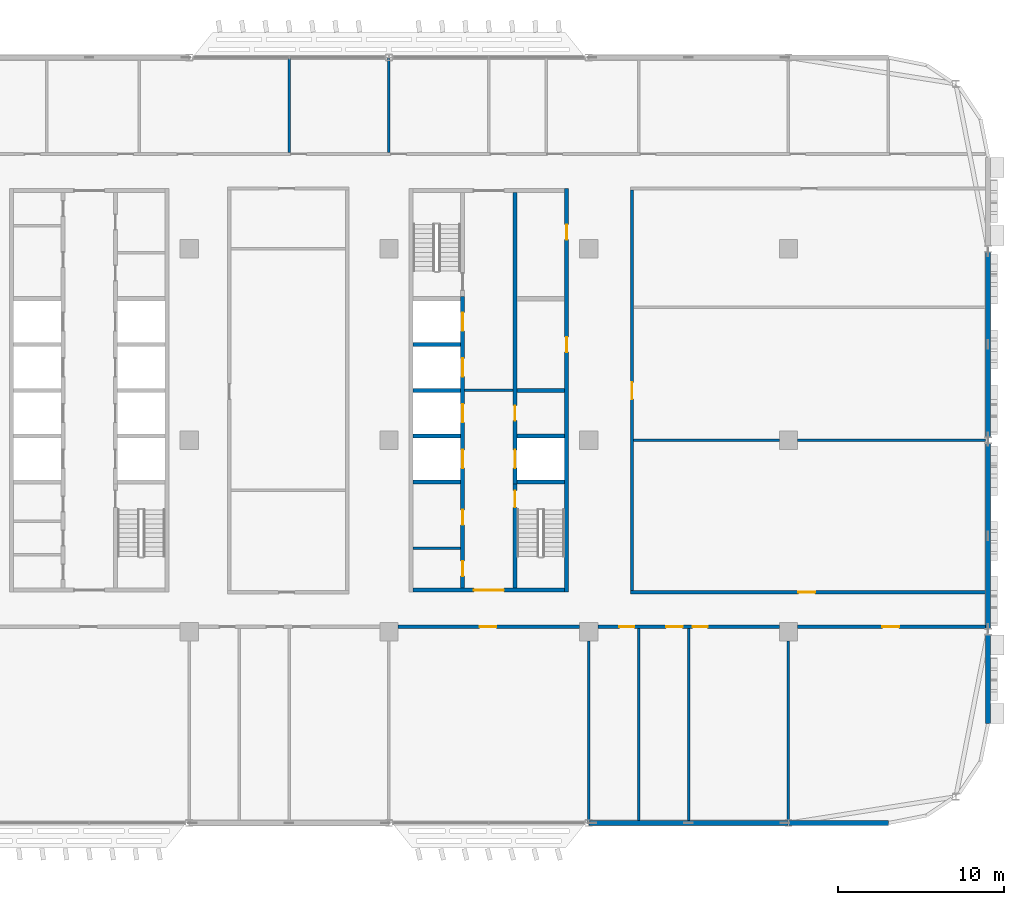
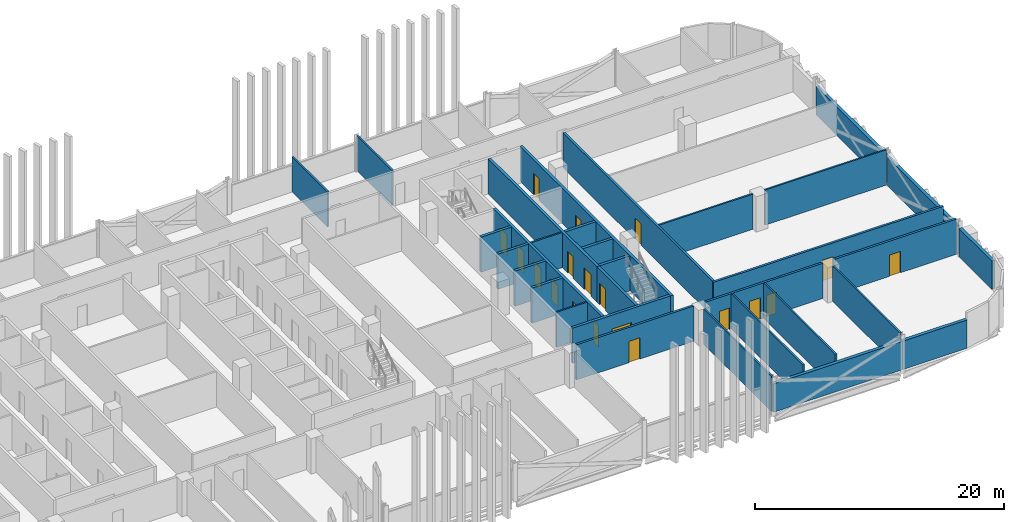
# One storey, part 17 of 30: 32 walls, 19 doors, 19 openings.
"""IFC4 building model written with IfcOpenShell, lengths in metres."""

from ifc_helpers import new_model, si_unit, direction, frame, frame_2d, origin, place, context, subcontext, project, spatial, rectangle, extrude, material, layer, layer_set, type_object, element, fill, save


model = new_model("IFC4")

# Units and contexts
model_context = context("Model", 3, precision=1e-05, world=origin(), true_north=direction((0.0, 1.0)))
body_context = subcontext(model_context, "Body", "Model", "MODEL_VIEW")
ifc_project = project(units=[si_unit("LENGTHUNIT", "METRE"), si_unit("AREAUNIT", "SQUARE_METRE"), si_unit("VOLUMEUNIT", "CUBIC_METRE"), si_unit("PLANEANGLEUNIT", "RADIAN"), si_unit("MASSUNIT", "GRAM", prefix="KILO")], contexts=[model_context])

# Site, building, storey
site_placement = place(None, origin())
site = spatial("IfcSite", under=ifc_project, at=site_placement, CompositionType="ELEMENT")
building_placement = place(site_placement, origin())
building = spatial("IfcBuilding", under=site, at=building_placement, Name="Mahtab Terrace Research Tower", CompositionType="ELEMENT")
storey_placement = place(building_placement, frame((0.0, 0.0, 209.10009765625)))
storey = spatial("IfcBuildingStorey", under=building, at=storey_placement, Name="L50", CompositionType="ELEMENT", Elevation=209.10009765625)

# Walls
ifc_material_1 = material(Name="Gypsum board partition")
ifc_layer_1 = layer(ifc_material_1, 0.14990234375)
ifc_layer_set_1 = layer_set([ifc_layer_1], Name="Core partition 150")
wall_type_1 = type_object("IfcWallType", Name="Core partition 150", PredefinedType="PARTITIONING", material=ifc_layer_set_1)
wall_1_placement = place(storey_placement, frame((22.550048828125, 3.0, 0.0), z_axis=(0.0, 0.0, 1.0), x_axis=(1.0, 0.0, 0.0)))
element("IfcWall", 1, at=wall_1_placement, inside=storey, type_object=wall_type_1, Name="Core wall C ffl", PredefinedType="PARTITIONING", context=body_context, shape_type="SweptSolid", body=[
    extrude(rectangle(XDim=2.89990234375, YDim=0.14990234375, at=frame_2d((1.449951171875, 0.0))), origin(), (0.0, 0.0, 1.0), 3.4599609375),
])
wall_2_placement = place(storey_placement, frame((19.449951171875, -6.47509765625, 0.0), z_axis=(0.0, 0.0, 1.0), x_axis=(1.0, 0.0, 0.0)))
element("IfcWall", 2, at=wall_2_placement, inside=storey, type_object=wall_type_1, Name="Core wall C pWS-948", PredefinedType="PARTITIONING", context=body_context, shape_type="SweptSolid", body=[
    extrude(rectangle(XDim=2.85009765625, YDim=0.14990234375, at=frame_2d((1.425048828125, 0.0))), origin(), (0.0, 0.0, 1.0), 3.4599609375),
])

# Wall, openings, doors
ifc_material_2 = material(Name="Concrete C70/85", Category="concrete")
ifc_layer_2 = layer(ifc_material_2, 0.25)
ifc_layer_set_2 = layer_set([ifc_layer_2], Name="Core wall 250")
wall_type_2 = type_object("IfcWallType", Name="Core wall 250", PredefinedType="SOLIDWALL", material=ifc_layer_set_2)
wall_3_placement = place(storey_placement, frame((28.675048828125, -9.125, 0.0), z_axis=(0.0, 0.0, 1.0), x_axis=(0.0, 1.0, 0.0)))
wall_3 = element("IfcWall", 3, at=wall_3_placement, inside=storey, type_object=wall_type_2, Name="Core wall C outerE", PredefinedType="SOLIDWALL", context=body_context, shape_type="SweptSolid", body=[
    extrude(rectangle(XDim=24.25, YDim=0.25, at=frame_2d((12.125, 0.0))), origin(), (0.0, 0.0, 1.0), 3.4599609375),
])
opening_1_placement = place(wall_3_placement, frame((14.425048828125, 0.0, 0.0)))
opening_1 = element("IfcOpeningElement", 4, at=opening_1_placement, cuts=wall_3, Name="Opening C-R2", PredefinedType="OPENING", context=body_context, shape_type="SweptSolid", body=[
    extrude(rectangle(XDim=0.89990234375, YDim=2.10009765625, at=frame_2d((0.449951171875, 1.050048828125))), frame((0.0, 0.135009765625, 0.0), z_axis=(0.0, -1.0, 0.0), x_axis=(1.0, 0.0, 0.0)), (0.0, 0.0, 1.0), 0.27001953125),
])
opening_2_placement = place(wall_3_placement, frame((21.175048828125, 0.0, 0.0)))
opening_2 = element("IfcOpeningElement", 5, at=opening_2_placement, cuts=wall_3, Name="Opening C-R5", PredefinedType="OPENING", context=body_context, shape_type="SweptSolid", body=[
    extrude(rectangle(XDim=0.89990234375, YDim=2.10009765625, at=frame_2d((0.449951171875, 1.050048828125))), frame((0.0, 0.135009765625, 0.0), z_axis=(0.0, -1.0, 0.0), x_axis=(1.0, 0.0, 0.0)), (0.0, 0.0, 1.0), 0.27001953125),
])
ifc_material_3 = material(Name="Steel fire door", Category="steel")
door_type_1 = type_object("IfcDoorType", Name="Room door 900x2100 1 HR", OperationType="NOTDEFINED", PredefinedType="DOOR", material=ifc_material_3)
door_1_placement = place(opening_1_placement, origin())
door_1 = element("IfcDoor", 6, at=door_1_placement, inside=storey, type_object=door_type_1, Name="Plant room door", OperationType="SINGLE_SWING_RIGHT", OverallHeight=2.10009765625, OverallWidth=0.89990234375, PredefinedType="DOOR", context=body_context, shape_type="SweptSolid", body=[
    extrude(rectangle(XDim=0.89990234375, YDim=2.10009765625, at=frame_2d((0.449951171875, 1.050048828125))), frame((0.0, 0.02490234375, 0.0), z_axis=(0.0, -1.0, 0.0), x_axis=(1.0, 0.0, 0.0)), (0.0, 0.0, 1.0), 0.050048828125),
])
fill(opening_1, door_1)
door_2_placement = place(opening_2_placement, origin())
door_2 = element("IfcDoor", 7, at=door_2_placement, inside=storey, type_object=door_type_1, Name="Gas cylinder store door", OperationType="SINGLE_SWING_LEFT", OverallHeight=2.10009765625, OverallWidth=0.89990234375, PredefinedType="DOOR", context=body_context, shape_type="SweptSolid", body=[
    extrude(rectangle(XDim=0.89990234375, YDim=2.10009765625, at=frame_2d((0.449951171875, 1.050048828125))), frame((0.0, 0.02490234375, 0.0), z_axis=(0.0, -1.0, 0.0), x_axis=(1.0, 0.0, 0.0)), (0.0, 0.0, 1.0), 0.050048828125),
])
fill(opening_2, door_2)

# Wall, opening, door
wall_4_placement = place(storey_placement, frame((28.550048828125, -9.0, 0.0), z_axis=(0.0, 0.0, 1.0), x_axis=(-1.0, 0.0, 0.0)))
wall_4 = element("IfcWall", 8, at=wall_4_placement, inside=storey, type_object=wall_type_2, Name="Core wall C endS", PredefinedType="SOLIDWALL", context=body_context, shape_type="SweptSolid", body=[
    extrude(rectangle(XDim=9.10009765625, YDim=0.25, at=frame_2d((4.550048828125, 0.0))), origin(), (0.0, 0.0, 1.0), 3.4599609375),
])
opening_3_placement = place(wall_4_placement, frame((3.64990234375, 0.0, 0.0)))
opening_3 = element("IfcOpeningElement", 9, at=opening_3_placement, cuts=wall_4, Name="Opening C-S1", PredefinedType="OPENING", context=body_context, shape_type="SweptSolid", body=[
    extrude(rectangle(XDim=1.800048828125, YDim=2.10009765625, at=frame_2d((0.89990234375, 1.050048828125))), frame((0.0, 0.135009765625, 0.0), z_axis=(0.0, -1.0, 0.0), x_axis=(1.0, 0.0, 0.0)), (0.0, 0.0, 1.0), 0.27001953125),
])
door_type_2 = type_object("IfcDoorType", Name="Lobby double door 1800x2100 1 HR", OperationType="DOUBLE_DOOR_SINGLE_SWING", PredefinedType="DOOR", material=ifc_material_3)
door_3_placement = place(opening_3_placement, origin())
door_3 = element("IfcDoor", 10, at=door_3_placement, inside=storey, type_object=door_type_2, Name="Core entrance door C S", OperationType="DOUBLE_DOOR_SINGLE_SWING", OverallHeight=2.10009765625, OverallWidth=1.800048828125, PredefinedType="DOOR", context=body_context, shape_type="SweptSolid", body=[
    extrude(rectangle(XDim=1.800048828125, YDim=2.10009765625, at=frame_2d((0.89990234375, 1.050048828125))), frame((0.0, 0.02490234375, 0.0), z_axis=(0.0, -1.0, 0.0), x_axis=(1.0, 0.0, 0.0)), (0.0, 0.0, 1.0), 0.050048828125),
])
fill(opening_3, door_3)

# Wall, openings, doors
wall_5_placement = place(storey_placement, frame((22.425048828125, -8.875, 0.0), z_axis=(0.0, 0.0, 1.0), x_axis=(0.0, 1.0, 0.0)))
wall_5 = element("IfcWall", 11, at=wall_5_placement, inside=storey, type_object=wall_type_2, Name="Core wall C innerWSL", PredefinedType="SOLIDWALL", context=body_context, shape_type="SweptSolid", body=[
    extrude(rectangle(XDim=17.5, YDim=0.25, at=frame_2d((8.75, 0.0))), origin(), (0.0, 0.0, 1.0), 3.4599609375),
])
opening_4_placement = place(wall_5_placement, frame((7.199951171875, 0.0, 0.0)))
opening_4 = element("IfcOpeningElement", 12, at=opening_4_placement, cuts=wall_5, Name="Opening LD17-L50", PredefinedType="OPENING", context=body_context, shape_type="SweptSolid", body=[
    extrude(rectangle(XDim=1.10009765625, YDim=2.10009765625, at=frame_2d((0.550048828125, 1.050048828125))), frame((0.0, 0.135009765625, 0.0), z_axis=(0.0, -1.0, 0.0), x_axis=(1.0, 0.0, 0.0)), (0.0, 0.0, 1.0), 0.27001953125),
])
opening_5_placement = place(wall_5_placement, frame((9.949951171875, 0.0, 0.0)))
opening_5 = element("IfcOpeningElement", 13, at=opening_5_placement, cuts=wall_5, Name="Opening LD18-L50", PredefinedType="OPENING", context=body_context, shape_type="SweptSolid", body=[
    extrude(rectangle(XDim=1.10009765625, YDim=2.10009765625, at=frame_2d((0.550048828125, 1.050048828125))), frame((0.0, 0.135009765625, 0.0), z_axis=(0.0, -1.0, 0.0), x_axis=(1.0, 0.0, 0.0)), (0.0, 0.0, 1.0), 0.27001953125),
])
opening_6_placement = place(wall_5_placement, frame((12.699951171875, 0.0, 0.0)))
opening_6 = element("IfcOpeningElement", 14, at=opening_6_placement, cuts=wall_5, Name="Opening LD19-L50", PredefinedType="OPENING", context=body_context, shape_type="SweptSolid", body=[
    extrude(rectangle(XDim=1.10009765625, YDim=2.10009765625, at=frame_2d((0.550048828125, 1.050048828125))), frame((0.0, 0.135009765625, 0.0), z_axis=(0.0, -1.0, 0.0), x_axis=(1.0, 0.0, 0.0)), (0.0, 0.0, 1.0), 0.27001953125),
])
opening_7_placement = place(wall_5_placement, frame((15.449951171875, 0.0, 0.0)))
opening_7 = element("IfcOpeningElement", 15, at=opening_7_placement, cuts=wall_5, Name="Opening LD20-L50", PredefinedType="OPENING", context=body_context, shape_type="SweptSolid", body=[
    extrude(rectangle(XDim=1.10009765625, YDim=2.10009765625, at=frame_2d((0.550048828125, 1.050048828125))), frame((0.0, 0.135009765625, 0.0), z_axis=(0.0, -1.0, 0.0), x_axis=(1.0, 0.0, 0.0)), (0.0, 0.0, 1.0), 0.27001953125),
])
opening_8_placement = place(wall_5_placement, frame((0.71240234375, 0.0, 0.0)))
opening_8 = element("IfcOpeningElement", 16, at=opening_8_placement, cuts=wall_5, Name="Opening C-R3", PredefinedType="OPENING", context=body_context, shape_type="SweptSolid", body=[
    extrude(rectangle(XDim=0.89990234375, YDim=2.10009765625, at=frame_2d((0.449951171875, 1.050048828125))), frame((0.0, 0.135009765625, 0.0), z_axis=(0.0, -1.0, 0.0), x_axis=(1.0, 0.0, 0.0)), (0.0, 0.0, 1.0), 0.27001953125),
])
opening_9_placement = place(wall_5_placement, frame((3.78759765625, 0.0, 0.0)))
opening_9 = element("IfcOpeningElement", 17, at=opening_9_placement, cuts=wall_5, Name="Opening C-R4", PredefinedType="OPENING", context=body_context, shape_type="SweptSolid", body=[
    extrude(rectangle(XDim=0.89990234375, YDim=2.10009765625, at=frame_2d((0.449951171875, 1.050048828125))), frame((0.0, 0.135009765625, 0.0), z_axis=(0.0, -1.0, 0.0), x_axis=(1.0, 0.0, 0.0)), (0.0, 0.0, 1.0), 0.27001953125),
])
ifc_material_4 = material(Name="Stainless steel AISI 304", Category="steel")
door_type_3 = type_object("IfcDoorType", Name="Landing door 1100x2100", OperationType="DOUBLE_DOOR_SLIDING", PredefinedType="DOOR", material=ifc_material_4)
door_4_placement = place(opening_4_placement, origin())
door_4 = element("IfcDoor", 18, at=door_4_placement, inside=storey, type_object=door_type_3, Name="Landing door SV1 L50", OperationType="DOUBLE_DOOR_SLIDING", OverallHeight=2.10009765625, OverallWidth=1.10009765625, PredefinedType="DOOR", context=body_context, shape_type="SweptSolid", body=[
    extrude(rectangle(XDim=1.10009765625, YDim=2.10009765625, at=frame_2d((0.550048828125, 1.050048828125))), frame((0.0, 0.02490234375, 0.0), z_axis=(0.0, -1.0, 0.0), x_axis=(1.0, 0.0, 0.0)), (0.0, 0.0, 1.0), 0.050048828125),
])
fill(opening_4, door_4)
door_5_placement = place(opening_5_placement, origin())
door_5 = element("IfcDoor", 19, at=door_5_placement, inside=storey, type_object=door_type_3, Name="Landing door SV2 L50", OperationType="DOUBLE_DOOR_SLIDING", OverallHeight=2.10009765625, OverallWidth=1.10009765625, PredefinedType="DOOR", context=body_context, shape_type="SweptSolid", body=[
    extrude(rectangle(XDim=1.10009765625, YDim=2.10009765625, at=frame_2d((0.550048828125, 1.050048828125))), frame((0.0, 0.02490234375, 0.0), z_axis=(0.0, -1.0, 0.0), x_axis=(1.0, 0.0, 0.0)), (0.0, 0.0, 1.0), 0.050048828125),
])
fill(opening_5, door_5)
door_6_placement = place(opening_6_placement, origin())
door_6 = element("IfcDoor", 20, at=door_6_placement, inside=storey, type_object=door_type_3, Name="Landing door FF1 L50", OperationType="DOUBLE_DOOR_SLIDING", OverallHeight=2.10009765625, OverallWidth=1.10009765625, PredefinedType="DOOR", context=body_context, shape_type="SweptSolid", body=[
    extrude(rectangle(XDim=1.10009765625, YDim=2.10009765625, at=frame_2d((0.550048828125, 1.050048828125))), frame((0.0, 0.02490234375, 0.0), z_axis=(0.0, -1.0, 0.0), x_axis=(1.0, 0.0, 0.0)), (0.0, 0.0, 1.0), 0.050048828125),
])
fill(opening_6, door_6)
door_7_placement = place(opening_7_placement, origin())
door_7 = element("IfcDoor", 21, at=door_7_placement, inside=storey, type_object=door_type_3, Name="Landing door FF2 L50", OperationType="DOUBLE_DOOR_SLIDING", OverallHeight=2.10009765625, OverallWidth=1.10009765625, PredefinedType="DOOR", context=body_context, shape_type="SweptSolid", body=[
    extrude(rectangle(XDim=1.10009765625, YDim=2.10009765625, at=frame_2d((0.550048828125, 1.050048828125))), frame((0.0, 0.02490234375, 0.0), z_axis=(0.0, -1.0, 0.0), x_axis=(1.0, 0.0, 0.0)), (0.0, 0.0, 1.0), 0.050048828125),
])
fill(opening_7, door_7)
door_8_placement = place(opening_8_placement, origin())
door_8 = element("IfcDoor", 22, at=door_8_placement, inside=storey, type_object=door_type_1, Name="Accessible WC door", OperationType="SINGLE_SWING_LEFT", OverallHeight=2.10009765625, OverallWidth=0.89990234375, PredefinedType="DOOR", context=body_context, shape_type="SweptSolid", body=[
    extrude(rectangle(XDim=0.89990234375, YDim=2.10009765625, at=frame_2d((0.449951171875, 1.050048828125))), frame((0.0, 0.02490234375, 0.0), z_axis=(0.0, -1.0, 0.0), x_axis=(1.0, 0.0, 0.0)), (0.0, 0.0, 1.0), 0.050048828125),
])
fill(opening_8, door_8)
door_9_placement = place(opening_9_placement, origin())
door_9 = element("IfcDoor", 23, at=door_9_placement, inside=storey, type_object=door_type_1, Name="WC block door", OperationType="SINGLE_SWING_RIGHT", OverallHeight=2.10009765625, OverallWidth=0.89990234375, PredefinedType="DOOR", context=body_context, shape_type="SweptSolid", body=[
    extrude(rectangle(XDim=0.89990234375, YDim=2.10009765625, at=frame_2d((0.449951171875, 1.050048828125))), frame((0.0, 0.02490234375, 0.0), z_axis=(0.0, -1.0, 0.0), x_axis=(1.0, 0.0, 0.0)), (0.0, 0.0, 1.0), 0.050048828125),
])
fill(opening_9, door_9)

# Wall, opening, door
wall_6_placement = place(storey_placement, frame((25.574951171875, -8.875, 0.0), z_axis=(0.0, 0.0, 1.0), x_axis=(0.0, 1.0, 0.0)))
wall_6 = element("IfcWall", 24, at=wall_6_placement, inside=storey, type_object=wall_type_2, Name="Core wall C innerES", PredefinedType="SOLIDWALL", context=body_context, shape_type="SweptSolid", body=[
    extrude(rectangle(XDim=6.25, YDim=0.25, at=frame_2d((3.125, 0.0))), origin(), (0.0, 0.0, 1.0), 3.4599609375),
])
opening_10_placement = place(wall_6_placement, frame((4.85009765625, 0.0, 0.0)))
opening_10 = element("IfcOpeningElement", 25, at=opening_10_placement, cuts=wall_6, Name="Opening C-ST4", PredefinedType="OPENING", context=body_context, shape_type="SweptSolid", body=[
    extrude(rectangle(XDim=1.0, YDim=2.10009765625, at=frame_2d((0.5, 1.050048828125))), frame((0.0, 0.135009765625, 0.0), z_axis=(0.0, -1.0, 0.0), x_axis=(1.0, 0.0, 0.0)), (0.0, 0.0, 1.0), 0.27001953125),
])
door_type_4 = type_object("IfcDoorType", Name="Stair door 1000x2100 1.5 HR", OperationType="NOTDEFINED", PredefinedType="DOOR", material=ifc_material_3)
door_10_placement = place(opening_10_placement, origin())
door_10 = element("IfcDoor", 26, at=door_10_placement, inside=storey, type_object=door_type_4, Name="Stair door ST4 L50", OperationType="SINGLE_SWING_LEFT", OverallHeight=2.10009765625, OverallWidth=1.0, PredefinedType="DOOR", context=body_context, shape_type="SweptSolid", body=[
    extrude(rectangle(XDim=1.0, YDim=2.10009765625, at=frame_2d((0.5, 1.050048828125))), frame((0.0, 0.02490234375, 0.0), z_axis=(0.0, -1.0, 0.0), x_axis=(1.0, 0.0, 0.0)), (0.0, 0.0, 1.0), 0.050048828125),
])
fill(opening_10, door_10)

# Wall, openings, doors
wall_7_placement = place(storey_placement, frame((25.574951171875, 14.875, 0.0), z_axis=(0.0, 0.0, 1.0), x_axis=(0.0, -1.0, 0.0)))
wall_7 = element("IfcWall", 27, at=wall_7_placement, inside=storey, type_object=wall_type_2, Name="Core wall C innerELN", PredefinedType="SOLIDWALL", context=body_context, shape_type="SweptSolid", body=[
    extrude(rectangle(XDim=17.5, YDim=0.25, at=frame_2d((8.75, 0.0))), origin(), (0.0, 0.0, 1.0), 3.4599609375),
])
opening_11_placement = place(wall_7_placement, frame((15.449951171875, 0.0, 0.0)))
opening_11 = element("IfcOpeningElement", 28, at=opening_11_placement, cuts=wall_7, Name="Opening LD21-L50", PredefinedType="OPENING", context=body_context, shape_type="SweptSolid", body=[
    extrude(rectangle(XDim=1.10009765625, YDim=2.10009765625, at=frame_2d((0.550048828125, 1.050048828125))), frame((0.0, 0.135009765625, 0.0), z_axis=(0.0, -1.0, 0.0), x_axis=(1.0, 0.0, 0.0)), (0.0, 0.0, 1.0), 0.27001953125),
])
opening_12_placement = place(wall_7_placement, frame((12.800048828125, 0.0, 0.0)))
opening_12 = element("IfcOpeningElement", 29, at=opening_12_placement, cuts=wall_7, Name="Opening C-R1", PredefinedType="OPENING", context=body_context, shape_type="SweptSolid", body=[
    extrude(rectangle(XDim=0.89990234375, YDim=2.10009765625, at=frame_2d((0.449951171875, 1.050048828125))), frame((0.0, 0.135009765625, 0.0), z_axis=(0.0, -1.0, 0.0), x_axis=(1.0, 0.0, 0.0)), (0.0, 0.0, 1.0), 0.27001953125),
])
door_11_placement = place(opening_11_placement, origin())
door_11 = element("IfcDoor", 30, at=door_11_placement, inside=storey, type_object=door_type_3, Name="Landing door SV3 L50", OperationType="DOUBLE_DOOR_SLIDING", OverallHeight=2.10009765625, OverallWidth=1.10009765625, PredefinedType="DOOR", context=body_context, shape_type="SweptSolid", body=[
    extrude(rectangle(XDim=1.10009765625, YDim=2.10009765625, at=frame_2d((0.550048828125, 1.050048828125))), frame((0.0, 0.02490234375, 0.0), z_axis=(0.0, -1.0, 0.0), x_axis=(1.0, 0.0, 0.0)), (0.0, 0.0, 1.0), 0.050048828125),
])
fill(opening_11, door_11)
door_12_placement = place(opening_12_placement, origin())
door_12 = element("IfcDoor", 31, at=door_12_placement, inside=storey, type_object=door_type_1, Name="Plant room door", OperationType="SINGLE_SWING_LEFT", OverallHeight=2.10009765625, OverallWidth=0.89990234375, PredefinedType="DOOR", context=body_context, shape_type="SweptSolid", body=[
    extrude(rectangle(XDim=0.89990234375, YDim=2.10009765625, at=frame_2d((0.449951171875, 1.050048828125))), frame((0.0, 0.02490234375, 0.0), z_axis=(0.0, -1.0, 0.0), x_axis=(1.0, 0.0, 0.0)), (0.0, 0.0, 1.0), 0.050048828125),
])
fill(opening_12, door_12)

# Walls
for number, where, z_axis, x_axis, name in (
    (32, (19.449951171875, -2.5, 0.0), (0.0, 0.0, 1.0), (1.0, 0.0, 0.0), "Core wall C divW0"),
    (33, (19.449951171875, 0.25, 0.0), (0.0, 0.0, 1.0), (1.0, 0.0, 0.0), "Core wall C divW1"),
    (34, (19.449951171875, 3.0, 0.0), (0.0, 0.0, 1.0), (1.0, 0.0, 0.0), "Core wall C divW2"),
    (35, (19.449951171875, 5.75, 0.0), (0.0, 0.0, 1.0), (1.0, 0.0, 0.0), "Core wall C divW3"),
    (36, (25.699951171875, -2.5, 0.0), (0.0, 0.0, 1.0), (1.0, 0.0, 0.0), "Core wall C divE0"),
    (37, (25.699951171875, 0.25, 0.0), (0.0, 0.0, 1.0), (1.0, 0.0, 0.0), "Core wall C divE1"),
    (38, (25.699951171875, 3.0, 0.0), (0.0, 0.0, 1.0), (1.0, 0.0, 0.0), "Core wall C divE2"),
):
    element("IfcWall", number, at=place(storey_placement, frame(where, z_axis=z_axis, x_axis=x_axis)), inside=storey, type_object=wall_type_2, Name=name, PredefinedType="SOLIDWALL", context=body_context, shape_type="SweptSolid", body=[
        extrude(rectangle(XDim=2.85009765625, YDim=0.25, at=frame_2d((1.425048828125, 0.0))), origin(), (0.0, 0.0, 1.0), 3.4599609375),
    ])
ifc_material_5 = material(Name="Black aluminium cladding panel", Category="aluminium")
ifc_layer_3 = layer(ifc_material_5, 0.300048828125)
ifc_layer_set_3 = layer_set([ifc_layer_3], Name="Opaque facade wall 300")
wall_type_3 = type_object("IfcWallType", Name="Opaque facade wall 300", PredefinedType="NOTDEFINED", material=ifc_layer_set_3)
wall_8_placement = place(storey_placement, frame((30.012451171875, -23.0, 0.0), z_axis=(0.0, 0.0, 1.0), x_axis=(1.0, 0.0, 0.0)))
element("IfcWall", 39, at=wall_8_placement, inside=storey, type_object=wall_type_3, Name="Opaque facade wall L50 S29", PredefinedType="NOTDEFINED", context=body_context, shape_type="SweptSolid", body=[
    extrude(rectangle(XDim=11.97509765625, YDim=0.300048828125, at=frame_2d((5.987548828125, 0.0))), origin(), (0.0, 0.0, 1.0), 2.78173828125),
])
wall_9_placement = place(storey_placement, frame((42.012451171875, -23.0, 0.0), z_axis=(0.0, 0.0, 1.0), x_axis=(1.0, 0.0, 0.0)))
element("IfcWall", 40, at=wall_9_placement, inside=storey, type_object=wall_type_3, Name="Opaque facade wall L50 S30", PredefinedType="NOTDEFINED", context=body_context, shape_type="SweptSolid", body=[
    extrude(rectangle(XDim=5.987548828125, YDim=0.300048828125, at=frame_2d((2.99365234375, 0.0))), origin(), (0.0, 0.0, 1.0), 2.78173828125),
])
wall_10_placement = place(storey_placement, frame((54.0, -17.0, 0.0), z_axis=(0.0, 0.0, 1.0), x_axis=(0.0, 1.0, 0.0)))
element("IfcWall", 41, at=wall_10_placement, inside=storey, type_object=wall_type_3, Name="Opaque facade wall L50 E35", PredefinedType="NOTDEFINED", context=body_context, shape_type="SweptSolid", body=[
    extrude(rectangle(XDim=5.300048828125, YDim=0.300048828125, at=frame_2d((2.64990234375, 0.0))), origin(), (0.0, 0.0, 1.0), 2.78173828125),
])
for number, where, z_axis, x_axis, name in (
    (42, (54.0, -11.300048828125, 0.0), (0.0, 0.0, 1.0), (0.0, 1.0, 0.0), "Opaque facade wall L50 E36"),
    (43, (54.0, 0.199951171875, 0.0), (0.0, 0.0, 1.0), (0.0, 1.0, 0.0), "Opaque facade wall L50 E37"),
):
    element("IfcWall", number, at=place(storey_placement, frame(where, z_axis=z_axis, x_axis=x_axis)), inside=storey, type_object=wall_type_3, Name=name, PredefinedType="NOTDEFINED", context=body_context, shape_type="SweptSolid", body=[
        extrude(rectangle(XDim=11.10009765625, YDim=0.300048828125, at=frame_2d((5.550048828125, 0.0))), origin(), (0.0, 0.0, 1.0), 2.78173828125),
    ])

# Wall, opening, door
ifc_material_6 = material(Name="Gypsum board corridor wall on steel studs", Category="steel")
ifc_layer_4 = layer(ifc_material_6, 0.199951171875)
ifc_layer_set_4 = layer_set([ifc_layer_4], Name="WALL CORRIDOR 200")
wall_type_4 = type_object("IfcWallType", Name="WALL CORRIDOR 200", PredefinedType="PARTITIONING", material=ifc_layer_set_4)
wall_11_placement = place(storey_placement, frame((18.550048828125, -11.199951171875, 0.0), z_axis=(0.0, 0.0, 1.0), x_axis=(1.0, 0.0, 0.0)))
wall_11 = element("IfcWall", 44, at=wall_11_placement, inside=storey, type_object=wall_type_4, Name="L50-W006", PredefinedType="PARTITIONING", context=body_context, shape_type="SweptSolid", body=[
    extrude(rectangle(XDim=10.89990234375, YDim=0.199951171875, at=frame_2d((5.449951171875, 0.0))), origin(), (0.0, 0.0, 1.0), 3.4599609375),
])
opening_13_placement = place(wall_11_placement, frame((4.89990234375, 0.0, 0.0)))
opening_13 = element("IfcOpeningElement", 45, at=opening_13_placement, cuts=wall_11, Name="Opening L50-111", PredefinedType="OPENING", context=body_context, shape_type="SweptSolid", body=[
    extrude(rectangle(XDim=1.0, YDim=2.10009765625, at=frame_2d((0.5, 1.050048828125))), frame((0.0, 0.10986328125, 0.0), z_axis=(0.0, -1.0, 0.0), x_axis=(1.0, 0.0, 0.0)), (0.0, 0.0, 1.0), 0.219970703125),
])
ifc_material_7 = material(Name="Timber door leaf in steel frame", Category="steel")
door_type_5 = type_object("IfcDoorType", Name="DOOR 1000X2100 FD30S", OperationType="SINGLE_SWING_LEFT", PredefinedType="DOOR", material=ifc_material_7)
door_13_placement = place(opening_13_placement, origin())
door_13 = element("IfcDoor", 46, at=door_13_placement, inside=storey, type_object=door_type_5, Name="Door L50-111", OperationType="SINGLE_SWING_RIGHT", OverallHeight=2.10009765625, OverallWidth=1.0, PredefinedType="DOOR", context=body_context, shape_type="SweptSolid", body=[
    extrude(rectangle(XDim=1.0, YDim=2.10009765625, at=frame_2d((0.5, 1.050048828125))), frame((0.0, 0.02490234375, 0.0), z_axis=(0.0, -1.0, 0.0), x_axis=(1.0, 0.0, 0.0)), (0.0, 0.0, 1.0), 0.050048828125),
])
fill(opening_13, door_13)

# Wall, openings, doors
wall_12_placement = place(storey_placement, frame((30.550048828125, -11.199951171875, 0.0), z_axis=(0.0, 0.0, 1.0), x_axis=(1.0, 0.0, 0.0)))
wall_12 = element("IfcWall", 47, at=wall_12_placement, inside=storey, type_object=wall_type_4, Name="L50-W007", PredefinedType="PARTITIONING", context=body_context, shape_type="SweptSolid", body=[
    extrude(rectangle(XDim=10.89990234375, YDim=0.199951171875, at=frame_2d((5.449951171875, 0.0))), origin(), (0.0, 0.0, 1.0), 3.4599609375),
])
opening_14_placement = place(wall_12_placement, frame((1.300048828125, 0.0, 0.0)))
opening_14 = element("IfcOpeningElement", 48, at=opening_14_placement, cuts=wall_12, Name="Opening L50-112", PredefinedType="OPENING", context=body_context, shape_type="SweptSolid", body=[
    extrude(rectangle(XDim=0.89990234375, YDim=2.10009765625, at=frame_2d((0.449951171875, 1.050048828125))), frame((0.0, 0.10986328125, 0.0), z_axis=(0.0, -1.0, 0.0), x_axis=(1.0, 0.0, 0.0)), (0.0, 0.0, 1.0), 0.219970703125),
])
opening_15_placement = place(wall_12_placement, frame((4.10009765625, 0.0, 0.0)))
opening_15 = element("IfcOpeningElement", 49, at=opening_15_placement, cuts=wall_12, Name="Opening L50-113", PredefinedType="OPENING", context=body_context, shape_type="SweptSolid", body=[
    extrude(rectangle(XDim=1.0, YDim=2.10009765625, at=frame_2d((0.5, 1.050048828125))), frame((0.0, 0.10986328125, 0.0), z_axis=(0.0, -1.0, 0.0), x_axis=(1.0, 0.0, 0.0)), (0.0, 0.0, 1.0), 0.219970703125),
])
opening_16_placement = place(wall_12_placement, frame((5.699951171875, 0.0, 0.0)))
opening_16 = element("IfcOpeningElement", 50, at=opening_16_placement, cuts=wall_12, Name="Opening L50-114", PredefinedType="OPENING", context=body_context, shape_type="SweptSolid", body=[
    extrude(rectangle(XDim=0.89990234375, YDim=2.10009765625, at=frame_2d((0.449951171875, 1.050048828125))), frame((0.0, 0.10986328125, 0.0), z_axis=(0.0, -1.0, 0.0), x_axis=(1.0, 0.0, 0.0)), (0.0, 0.0, 1.0), 0.219970703125),
])
door_type_6 = type_object("IfcDoorType", Name="DOOR 0900X2100 FD30S", OperationType="SINGLE_SWING_LEFT", PredefinedType="DOOR", material=ifc_material_7)
door_14_placement = place(opening_14_placement, origin())
door_14 = element("IfcDoor", 51, at=door_14_placement, inside=storey, type_object=door_type_6, Name="Door L50-112", OperationType="SINGLE_SWING_RIGHT", OverallHeight=2.10009765625, OverallWidth=0.89990234375, PredefinedType="DOOR", context=body_context, shape_type="SweptSolid", body=[
    extrude(rectangle(XDim=0.89990234375, YDim=2.10009765625, at=frame_2d((0.449951171875, 1.050048828125))), frame((0.0, 0.02490234375, 0.0), z_axis=(0.0, -1.0, 0.0), x_axis=(1.0, 0.0, 0.0)), (0.0, 0.0, 1.0), 0.050048828125),
])
fill(opening_14, door_14)
door_15_placement = place(opening_16_placement, origin())
door_15 = element("IfcDoor", 52, at=door_15_placement, inside=storey, type_object=door_type_6, Name="Door L50-114", OperationType="SINGLE_SWING_LEFT", OverallHeight=2.10009765625, OverallWidth=0.89990234375, PredefinedType="DOOR", context=body_context, shape_type="SweptSolid", body=[
    extrude(rectangle(XDim=0.89990234375, YDim=2.10009765625, at=frame_2d((0.449951171875, 1.050048828125))), frame((0.0, 0.02490234375, 0.0), z_axis=(0.0, -1.0, 0.0), x_axis=(1.0, 0.0, 0.0)), (0.0, 0.0, 1.0), 0.050048828125),
])
fill(opening_16, door_15)
door_16_placement = place(opening_15_placement, origin())
door_16 = element("IfcDoor", 53, at=door_16_placement, inside=storey, type_object=door_type_5, Name="Door L50-113", OperationType="SINGLE_SWING_RIGHT", OverallHeight=2.10009765625, OverallWidth=1.0, PredefinedType="DOOR", context=body_context, shape_type="SweptSolid", body=[
    extrude(rectangle(XDim=1.0, YDim=2.10009765625, at=frame_2d((0.5, 1.050048828125))), frame((0.0, 0.02490234375, 0.0), z_axis=(0.0, -1.0, 0.0), x_axis=(1.0, 0.0, 0.0)), (0.0, 0.0, 1.0), 0.050048828125),
])
fill(opening_15, door_16)

# Wall, opening, door
wall_13_placement = place(storey_placement, frame((42.550048828125, -11.199951171875, 0.0), z_axis=(0.0, 0.0, 1.0), x_axis=(1.0, 0.0, 0.0)))
wall_13 = element("IfcWall", 54, at=wall_13_placement, inside=storey, type_object=wall_type_4, Name="L50-W008", PredefinedType="PARTITIONING", context=body_context, shape_type="SweptSolid", body=[
    extrude(rectangle(XDim=11.300048828125, YDim=0.199951171875, at=frame_2d((5.64990234375, 0.0))), origin(), (0.0, 0.0, 1.0), 3.4599609375),
])
opening_17_placement = place(wall_13_placement, frame((5.10009765625, 0.0, 0.0)))
opening_17 = element("IfcOpeningElement", 55, at=opening_17_placement, cuts=wall_13, Name="Opening L50-115", PredefinedType="OPENING", context=body_context, shape_type="SweptSolid", body=[
    extrude(rectangle(XDim=1.0, YDim=2.10009765625, at=frame_2d((0.5, 1.050048828125))), frame((0.0, 0.10986328125, 0.0), z_axis=(0.0, -1.0, 0.0), x_axis=(1.0, 0.0, 0.0)), (0.0, 0.0, 1.0), 0.219970703125),
])
door_17_placement = place(opening_17_placement, origin())
door_17 = element("IfcDoor", 56, at=door_17_placement, inside=storey, type_object=door_type_5, Name="Door L50-115", OperationType="SINGLE_SWING_RIGHT", OverallHeight=2.10009765625, OverallWidth=1.0, PredefinedType="DOOR", context=body_context, shape_type="SweptSolid", body=[
    extrude(rectangle(XDim=1.0, YDim=2.10009765625, at=frame_2d((0.5, 1.050048828125))), frame((0.0, 0.02490234375, 0.0), z_axis=(0.0, -1.0, 0.0), x_axis=(1.0, 0.0, 0.0)), (0.0, 0.0, 1.0), 0.050048828125),
])
fill(opening_17, door_17)

wall_14_placement = place(storey_placement, frame((32.5, -9.125, 0.0), z_axis=(0.0, 0.0, 1.0), x_axis=(1.0, 0.0, 0.0)))
wall_14 = element("IfcWall", 57, at=wall_14_placement, inside=storey, type_object=wall_type_4, Name="L50-W012", PredefinedType="PARTITIONING", context=body_context, shape_type="SweptSolid", body=[
    extrude(rectangle(XDim=21.35009765625, YDim=0.199951171875, at=frame_2d((10.675048828125, 0.0))), origin(), (0.0, 0.0, 1.0), 3.4599609375),
])
opening_18_placement = place(wall_14_placement, frame((10.10009765625, 0.0, 0.0)))
opening_18 = element("IfcOpeningElement", 58, at=opening_18_placement, cuts=wall_14, Name="Opening L50-119", PredefinedType="OPENING", context=body_context, shape_type="SweptSolid", body=[
    extrude(rectangle(XDim=1.0, YDim=2.10009765625, at=frame_2d((0.5, 1.050048828125))), frame((0.0, 0.10986328125, 0.0), z_axis=(0.0, -1.0, 0.0), x_axis=(1.0, 0.0, 0.0)), (0.0, 0.0, 1.0), 0.219970703125),
])
door_18_placement = place(opening_18_placement, origin())
door_18 = element("IfcDoor", 59, at=door_18_placement, inside=storey, type_object=door_type_5, Name="Door L50-119", OperationType="SINGLE_SWING_LEFT", OverallHeight=2.10009765625, OverallWidth=1.0, PredefinedType="DOOR", context=body_context, shape_type="SweptSolid", body=[
    extrude(rectangle(XDim=1.0, YDim=2.10009765625, at=frame_2d((0.5, 1.050048828125))), frame((0.0, 0.02490234375, 0.0), z_axis=(0.0, -1.0, 0.0), x_axis=(1.0, 0.0, 0.0)), (0.0, 0.0, 1.0), 0.050048828125),
])
fill(opening_18, door_18)

wall_15_placement = place(storey_placement, frame((32.60009765625, -9.02490234375, 0.0), z_axis=(0.0, 0.0, 1.0), x_axis=(0.0, 1.0, 0.0)))
wall_15 = element("IfcWall", 60, at=wall_15_placement, inside=storey, type_object=wall_type_4, Name="L50-W055", PredefinedType="PARTITIONING", context=body_context, shape_type="SweptSolid", body=[
    extrude(rectangle(XDim=24.0498046875, YDim=0.199951171875, at=frame_2d((12.02490234375, 0.0))), origin(), (0.0, 0.0, 1.0), 3.4599609375),
])
opening_19_placement = place(wall_15_placement, frame((11.5, 0.0, 0.0)))
opening_19 = element("IfcOpeningElement", 61, at=opening_19_placement, cuts=wall_15, Name="Opening L50-123", PredefinedType="OPENING", context=body_context, shape_type="SweptSolid", body=[
    extrude(rectangle(XDim=1.0, YDim=2.10009765625, at=frame_2d((0.5, 1.050048828125))), frame((0.0, 0.10986328125, 0.0), z_axis=(0.0, -1.0, 0.0), x_axis=(1.0, 0.0, 0.0)), (0.0, 0.0, 1.0), 0.219970703125),
])
door_19_placement = place(opening_19_placement, origin())
door_19 = element("IfcDoor", 62, at=door_19_placement, inside=storey, type_object=door_type_5, Name="Door L50-123", OperationType="SINGLE_SWING_RIGHT", OverallHeight=2.10009765625, OverallWidth=1.0, PredefinedType="DOOR", context=body_context, shape_type="SweptSolid", body=[
    extrude(rectangle(XDim=1.0, YDim=2.10009765625, at=frame_2d((0.5, 1.050048828125))), frame((0.0, 0.02490234375, 0.0), z_axis=(0.0, -1.0, 0.0), x_axis=(1.0, 0.0, 0.0)), (0.0, 0.0, 1.0), 0.050048828125),
])
fill(opening_19, door_19)

# Walls
ifc_material_8 = material(Name="Gypsum board partition on steel studs", Category="steel")
ifc_layer_5 = layer(ifc_material_8, 0.14990234375)
ifc_layer_set_5 = layer_set([ifc_layer_5], Name="WALL PARTITION 150")
wall_type_5 = type_object("IfcWallType", Name="WALL PARTITION 150", PredefinedType="PARTITIONING", material=ifc_layer_set_5)
wall_16_placement = place(storey_placement, frame((32.699951171875, 0.0, 0.0), z_axis=(0.0, 0.0, 1.0), x_axis=(1.0, 0.0, 0.0)))
element("IfcWall", 63, at=wall_16_placement, inside=storey, type_object=wall_type_5, Name="L50-W016", PredefinedType="PARTITIONING", context=body_context, shape_type="SweptSolid", body=[
    extrude(rectangle(XDim=8.75, YDim=0.14990234375, at=frame_2d((4.375, 0.0))), origin(), (0.0, 0.0, 1.0), 3.4599609375),
])
wall_17_placement = place(storey_placement, frame((42.550048828125, 0.0, 0.0), z_axis=(0.0, 0.0, 1.0), x_axis=(1.0, 0.0, 0.0)))
element("IfcWall", 64, at=wall_17_placement, inside=storey, type_object=wall_type_5, Name="L50-W017", PredefinedType="PARTITIONING", context=body_context, shape_type="SweptSolid", body=[
    extrude(rectangle(XDim=11.300048828125, YDim=0.14990234375, at=frame_2d((5.64990234375, 0.0))), origin(), (0.0, 0.0, 1.0), 3.4599609375),
])
for number, where, z_axis, x_axis, name in (
    (65, (12.0, 17.300048828125, 0.0), (0.0, 0.0, 1.0), (0.0, 1.0, 0.0), "L50-W048"),
    (66, (18.0, 17.300048828125, 0.0), (0.0, 0.0, 1.0), (0.0, 1.0, 0.0), "L50-W051"),
):
    element("IfcWall", number, at=place(storey_placement, frame(where, z_axis=z_axis, x_axis=x_axis)), inside=storey, type_object=wall_type_5, Name=name, PredefinedType="PARTITIONING", context=body_context, shape_type="SweptSolid", body=[
        extrude(rectangle(XDim=5.675048828125, YDim=0.14990234375, at=frame_2d((2.83740234375, 0.0))), origin(), (0.0, 0.0, 1.0), 3.4599609375),
    ])
wall_18_placement = place(storey_placement, frame((30.0, -22.97509765625, 0.0), z_axis=(0.0, 0.0, 1.0), x_axis=(0.0, 1.0, 0.0)))
element("IfcWall", 67, at=wall_18_placement, inside=storey, type_object=wall_type_5, Name="L50-W054", PredefinedType="PARTITIONING", context=body_context, shape_type="SweptSolid", body=[
    extrude(rectangle(XDim=10.925048828125, YDim=0.14990234375, at=frame_2d((5.46240234375, 0.0))), origin(), (0.0, 0.0, 1.0), 3.4599609375),
])
for number, where, z_axis, x_axis, name in (
    (68, (33.0, -22.85009765625, 0.0), (0.0, 0.0, 1.0), (0.0, 1.0, 0.0), "L50-W056"),
    (69, (36.0, -22.85009765625, 0.0), (0.0, 0.0, 1.0), (0.0, 1.0, 0.0), "L50-W058"),
):
    element("IfcWall", number, at=place(storey_placement, frame(where, z_axis=z_axis, x_axis=x_axis)), inside=storey, type_object=wall_type_5, Name=name, PredefinedType="PARTITIONING", context=body_context, shape_type="SweptSolid", body=[
        extrude(rectangle(XDim=11.550048828125, YDim=0.14990234375, at=frame_2d((5.77490234375, 0.0))), origin(), (0.0, 0.0, 1.0), 3.4599609375),
    ])
wall_19_placement = place(storey_placement, frame((42.0, -22.85009765625, 0.0), z_axis=(0.0, 0.0, 1.0), x_axis=(0.0, 1.0, 0.0)))
element("IfcWall", 70, at=wall_19_placement, inside=storey, type_object=wall_type_5, Name="L50-W059", PredefinedType="PARTITIONING", context=body_context, shape_type="SweptSolid", body=[
    extrude(rectangle(XDim=10.800048828125, YDim=0.14990234375, at=frame_2d((5.39990234375, 0.0))), origin(), (0.0, 0.0, 1.0), 3.4599609375),
])

save(model, "model.ifc")
